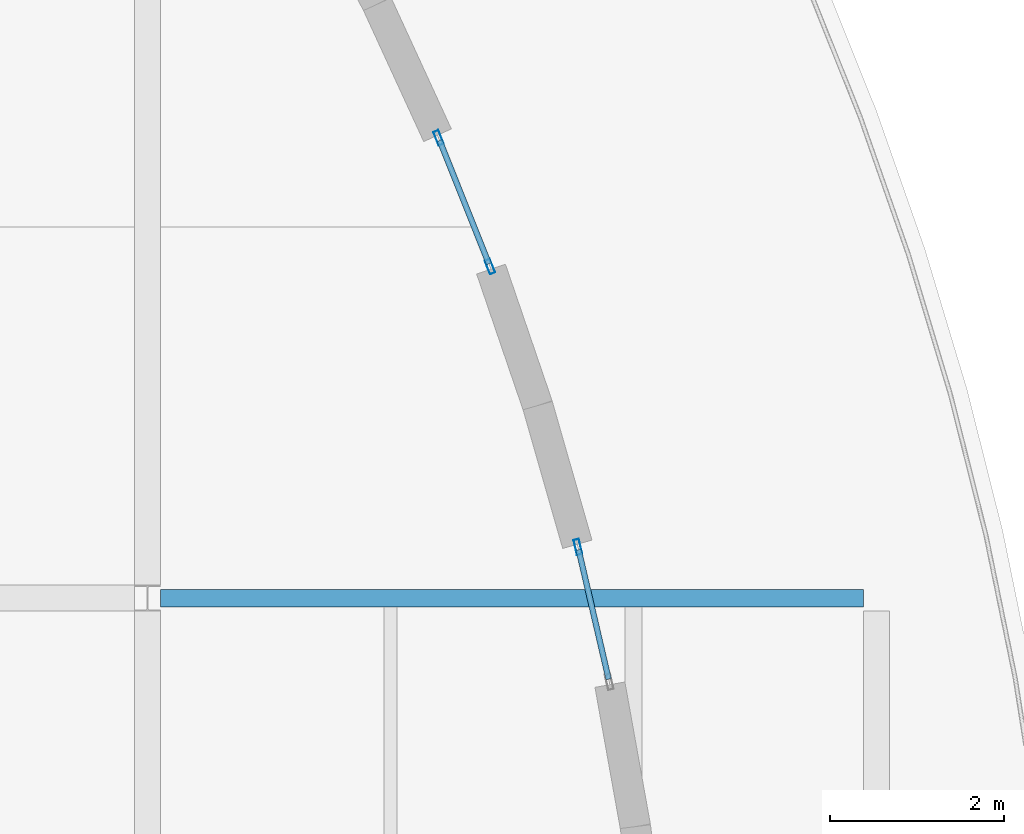
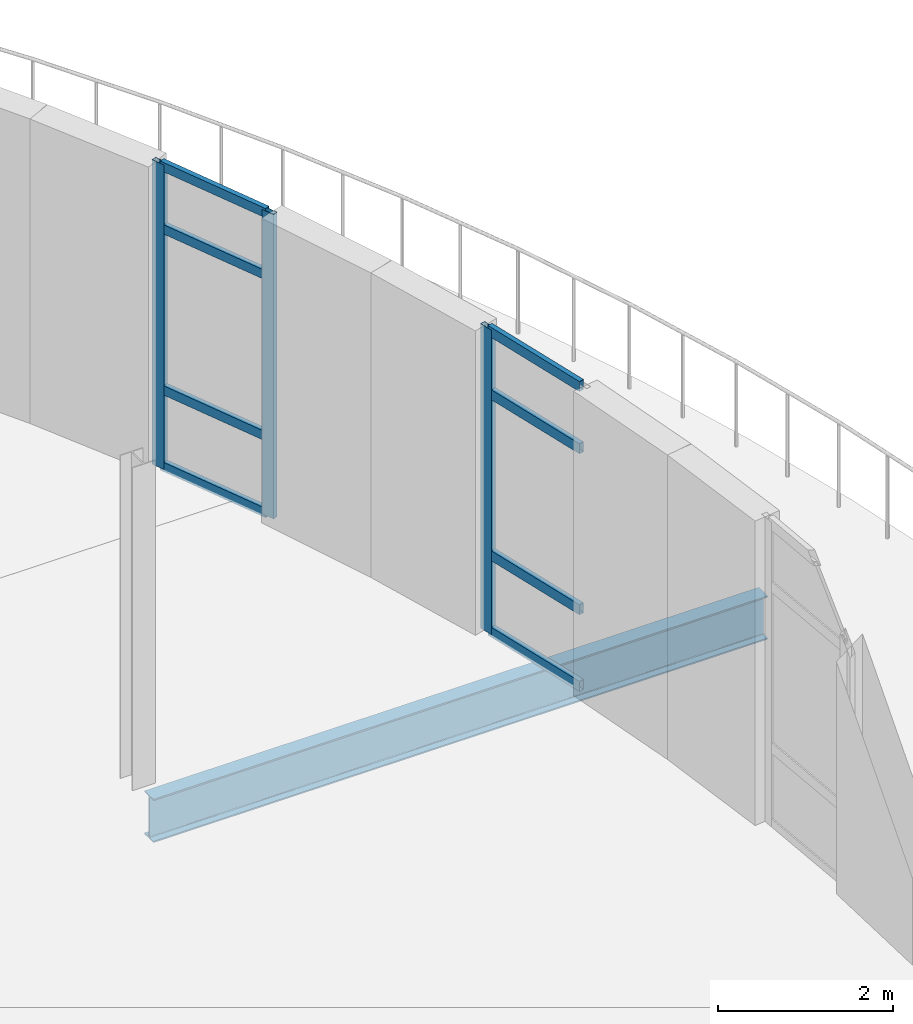
# One storey, part 15 of 40: 11 members, 1 beam, 2 elements without a shape of their own.
"""IFC4 building model written with IfcOpenShell, lengths in metres."""

from ifc_helpers import new_model, si_unit, direction, frame, origin, origin_2d, place, context, subcontext, project, spatial, hollow_rectangle, i_section, extrude, material, layer, layer_set, material_profile, profile_set, type_object, element, aggregate, save


model = new_model("IFC4")

# Units and contexts
model_context = context("Model", 3, precision=1e-05, world=origin(), true_north=direction((0.0, 1.0)))
body_context = subcontext(model_context, "Body", "Model", "MODEL_VIEW")
ifc_project = project(units=[si_unit("LENGTHUNIT", "METRE"), si_unit("AREAUNIT", "SQUARE_METRE"), si_unit("VOLUMEUNIT", "CUBIC_METRE"), si_unit("PLANEANGLEUNIT", "RADIAN"), si_unit("MASSUNIT", "GRAM", prefix="KILO"), si_unit("THERMODYNAMICTEMPERATUREUNIT", "KELVIN")], contexts=[model_context])

# Site, building, storey
site_placement = place(None, origin())
site = spatial("IfcSite", under=ifc_project, at=site_placement, CompositionType="ELEMENT")
building_placement = place(site_placement, origin())
building = spatial("IfcBuilding", under=site, at=building_placement, Name="Lustrewick Department Store", CompositionType="ELEMENT")
storey_placement = place(building_placement, frame((0.0, 0.0, 31.800048828125)))
storey = spatial("IfcBuildingStorey", under=building, at=storey_placement, Name="L07", CompositionType="ELEMENT", Elevation=31.800048828125)

# Curtain wall, members
ifc_material_1 = material(Name="Thermally broken aluminium 6063-T5", Category="aluminium")
ifc_layer_1 = layer(ifc_material_1, 0.179931640625, Name="Thermally broken aluminium 6063-T5")
ifc_layer_set_1 = layer_set([ifc_layer_1], Name="Thermally broken aluminium 6063-T5")
curtain_wall_type_1 = type_object("IfcCurtainWallType", Name="CW11", PredefinedType="NOTDEFINED", material=ifc_layer_set_1)
curtain_wall_1_placement = place(storey_placement, origin())
curtain_wall_1 = element("IfcCurtainWall", 1, at=curtain_wall_1_placement, inside=storey, type_object=curtain_wall_type_1, Name="L07 V4 Curtain Wall CW11", PredefinedType="NOTDEFINED")
ifc_material_profile_1 = material_profile(ifc_material_1, hollow_rectangle(XDim=0.06494140625, YDim=0.179931640625, WallThickness=0.00390625, at=origin_2d()), Name="ALU-M 65x180x4")
ifc_profile_set_1 = profile_set([ifc_material_profile_1], Name="Thermally broken aluminium 6063-T5")
member_type_1 = type_object("IfcMemberType", Name="CW11-M1", PredefinedType="MULLION", material=ifc_profile_set_1)
member_1_placement = place(storey_placement, frame((147.76025390625, 67.789794921875, 0.0), z_axis=(0.0, 0.0, 1.0), x_axis=(-0.974109506867, -0.226076687502, 0.0)))
member_1 = element("IfcMember", 2, at=member_1_placement, type_object=member_type_1, Name="CW11 mullion 2", PredefinedType="MULLION", context=body_context, shape_type="SweptSolid", body=[
    extrude(hollow_rectangle(XDim=0.06494140625, YDim=0.179931640625, WallThickness=0.00390625, at=origin_2d()), origin(), (0.0, 0.0, 1.0), 4.244873046875),
])
ifc_material_profile_2 = material_profile(ifc_material_1, hollow_rectangle(XDim=0.06494140625, YDim=0.139892578125, WallThickness=0.00341796875, at=origin_2d()), Name="ALU-T 65x140x3.5")
ifc_profile_set_2 = profile_set([ifc_material_profile_2], Name="Thermally broken aluminium 6063-T5")
member_type_2 = type_object("IfcMemberType", Name="CW11-T1", PredefinedType="USERDEFINED", material=ifc_profile_set_2)
member_2_placement = place(storey_placement, frame((148.114013671875, 66.265869140625, 0.032470703125), z_axis=(-0.226151310601, 0.974092184915, 0.0), x_axis=(-0.974092184915, -0.226151310601, 0.0)))
member_2 = element("IfcMember", 3, at=member_2_placement, type_object=member_type_2, Name="CW11 transom 1.1", ObjectType="TRANSOM", PredefinedType="USERDEFINED", context=body_context, shape_type="SweptSolid", body=[
    extrude(hollow_rectangle(XDim=0.06494140625, YDim=0.139892578125, WallThickness=0.00341796875, at=origin_2d()), origin(), (0.0, 0.0, 1.0), 1.531982421875),
])
member_3_placement = place(storey_placement, frame((148.114013671875, 66.265869140625, 1.099853515625), z_axis=(-0.226151310601, 0.974092184915, 0.0), x_axis=(-0.974092184915, -0.226151310601, 0.0)))
member_3 = element("IfcMember", 4, at=member_3_placement, type_object=member_type_2, Name="CW11 transom 1.2", ObjectType="TRANSOM", PredefinedType="USERDEFINED", context=body_context, shape_type="SweptSolid", body=[
    extrude(hollow_rectangle(XDim=0.06494140625, YDim=0.139892578125, WallThickness=0.00341796875, at=origin_2d()), origin(), (0.0, 0.0, 1.0), 1.531982421875),
])
member_4_placement = place(storey_placement, frame((148.114013671875, 66.265869140625, 3.344970703125), z_axis=(-0.226151310601, 0.974092184915, 0.0), x_axis=(-0.974092184915, -0.226151310601, 0.0)))
member_4 = element("IfcMember", 5, at=member_4_placement, type_object=member_type_2, Name="CW11 transom 1.3", ObjectType="TRANSOM", PredefinedType="USERDEFINED", context=body_context, shape_type="SweptSolid", body=[
    extrude(hollow_rectangle(XDim=0.06494140625, YDim=0.139892578125, WallThickness=0.00341796875, at=origin_2d()), origin(), (0.0, 0.0, 1.0), 1.531982421875),
])
member_5_placement = place(storey_placement, frame((148.114013671875, 66.265869140625, 4.21240234375), z_axis=(-0.226151310601, 0.974092184915, 0.0), x_axis=(-0.974092184915, -0.226151310601, 0.0)))
member_5 = element("IfcMember", 6, at=member_5_placement, type_object=member_type_2, Name="CW11 transom 1.4", ObjectType="TRANSOM", PredefinedType="USERDEFINED", context=body_context, shape_type="SweptSolid", body=[
    extrude(hollow_rectangle(XDim=0.06494140625, YDim=0.139892578125, WallThickness=0.00341796875, at=origin_2d()), origin(), (0.0, 0.0, 1.0), 1.531982421875),
])
aggregate(curtain_wall_1, [member_1, member_2, member_3, member_4, member_5])

ifc_layer_2 = layer(ifc_material_1, 0.169921875, Name="Thermally broken aluminium 6063-T5")
ifc_layer_set_2 = layer_set([ifc_layer_2], Name="Thermally broken aluminium 6063-T5")
curtain_wall_type_2 = type_object("IfcCurtainWallType", Name="CW12", PredefinedType="NOTDEFINED", material=ifc_layer_set_2)
curtain_wall_2_placement = place(storey_placement, origin())
curtain_wall_2 = element("IfcCurtainWall", 7, at=curtain_wall_2_placement, inside=storey, type_object=curtain_wall_type_2, Name="L07 V4 Curtain Wall CW12", PredefinedType="NOTDEFINED")
ifc_material_profile_3 = material_profile(ifc_material_1, hollow_rectangle(XDim=0.06494140625, YDim=0.169921875, WallThickness=0.00390625, at=origin_2d()), Name="ALU-M 65x170x4")
ifc_profile_set_3 = profile_set([ifc_material_profile_3], Name="Thermally broken aluminium 6063-T5")
member_type_3 = type_object("IfcMemberType", Name="CW12-M1", PredefinedType="MULLION", material=ifc_profile_set_3)
member_6_placement = place(storey_placement, frame((146.746337890625, 71.021728515625, 0.0), z_axis=(0.0, 0.0, 1.0), x_axis=(-0.928646737216, -0.370965277968, 0.0)))
member_6 = element("IfcMember", 8, at=member_6_placement, type_object=member_type_3, Name="CW12 mullion 1", PredefinedType="MULLION", context=body_context, shape_type="SweptSolid", body=[
    extrude(hollow_rectangle(XDim=0.06494140625, YDim=0.169921875, WallThickness=0.00390625, at=origin_2d()), origin(), (0.0, 0.0, 1.0), 4.244873046875),
])
member_7_placement = place(storey_placement, frame((146.15380859375, 72.504638671875, 0.0), z_axis=(0.0, 0.0, 1.0), x_axis=(-0.928646737216, -0.370965277968, 0.0)))
member_7 = element("IfcMember", 9, at=member_7_placement, type_object=member_type_3, Name="CW12 mullion 2", PredefinedType="MULLION", context=body_context, shape_type="SweptSolid", body=[
    extrude(hollow_rectangle(XDim=0.06494140625, YDim=0.169921875, WallThickness=0.00390625, at=origin_2d()), origin(), (0.0, 0.0, 1.0), 4.244873046875),
])
ifc_material_profile_4 = material_profile(ifc_material_1, hollow_rectangle(XDim=0.06494140625, YDim=0.1298828125, WallThickness=0.00341796875, at=origin_2d()), Name="ALU-T 65x130x3.5")
ifc_profile_set_4 = profile_set([ifc_material_profile_4], Name="Thermally broken aluminium 6063-T5")
member_type_4 = type_object("IfcMemberType", Name="CW12-T1", PredefinedType="USERDEFINED", material=ifc_profile_set_4)
member_8_placement = place(storey_placement, frame((146.734130859375, 71.052001953125, 0.032470703125), z_axis=(-0.370868523041, 0.928685381934, 0.0), x_axis=(-0.928685381934, -0.370868523041, 0.0)))
member_8 = element("IfcMember", 10, at=member_8_placement, type_object=member_type_4, Name="CW12 transom 1.1", ObjectType="TRANSOM", PredefinedType="USERDEFINED", context=body_context, shape_type="SweptSolid", body=[
    extrude(hollow_rectangle(XDim=0.06494140625, YDim=0.1298828125, WallThickness=0.00341796875, at=origin_2d()), origin(), (0.0, 0.0, 1.0), 1.53173828125),
])
member_9_placement = place(storey_placement, frame((146.734130859375, 71.052001953125, 1.099853515625), z_axis=(-0.370868523041, 0.928685381934, 0.0), x_axis=(-0.928685381934, -0.370868523041, 0.0)))
member_9 = element("IfcMember", 11, at=member_9_placement, type_object=member_type_4, Name="CW12 transom 1.2", ObjectType="TRANSOM", PredefinedType="USERDEFINED", context=body_context, shape_type="SweptSolid", body=[
    extrude(hollow_rectangle(XDim=0.06494140625, YDim=0.1298828125, WallThickness=0.00341796875, at=origin_2d()), origin(), (0.0, 0.0, 1.0), 1.53173828125),
])
member_10_placement = place(storey_placement, frame((146.734130859375, 71.052001953125, 3.344970703125), z_axis=(-0.370868523041, 0.928685381934, 0.0), x_axis=(-0.928685381934, -0.370868523041, 0.0)))
member_10 = element("IfcMember", 12, at=member_10_placement, type_object=member_type_4, Name="CW12 transom 1.3", ObjectType="TRANSOM", PredefinedType="USERDEFINED", context=body_context, shape_type="SweptSolid", body=[
    extrude(hollow_rectangle(XDim=0.06494140625, YDim=0.1298828125, WallThickness=0.00341796875, at=origin_2d()), origin(), (0.0, 0.0, 1.0), 1.53173828125),
])
member_11_placement = place(storey_placement, frame((146.734130859375, 71.052001953125, 4.21240234375), z_axis=(-0.370868523041, 0.928685381934, 0.0), x_axis=(-0.928685381934, -0.370868523041, 0.0)))
member_11 = element("IfcMember", 13, at=member_11_placement, type_object=member_type_4, Name="CW12 transom 1.4", ObjectType="TRANSOM", PredefinedType="USERDEFINED", context=body_context, shape_type="SweptSolid", body=[
    extrude(hollow_rectangle(XDim=0.06494140625, YDim=0.1298828125, WallThickness=0.00341796875, at=origin_2d()), origin(), (0.0, 0.0, 1.0), 1.53173828125),
])
aggregate(curtain_wall_2, [member_6, member_7, member_8, member_9, member_10, member_11])

# Beam
ifc_material_2 = material(Name="Structural steel Q355B", Category="steel")
ifc_material_profile_5 = material_profile(ifc_material_2, i_section(OverallWidth=0.200927734375, OverallDepth=0.60595703125, WebThickness=0.011962890625, FlangeThickness=0.02001953125, FilletRadius=0.01806640625, at=origin_2d()), Name="HN 606x201x12x20")
ifc_profile_set_5 = profile_set([ifc_material_profile_5], Name="Structural steel Q355B")
beam_type = type_object("IfcBeamType", Name="G13", PredefinedType="BEAM", material=ifc_profile_set_5)
beam_placement = place(storey_placement, frame((142.949951171875, 67.199951171875, -0.55810546875), z_axis=(1.0, 0.0, 0.0), x_axis=(0.0, 1.0, 0.0)))
element("IfcBeam", 14, at=beam_placement, inside=storey, type_object=beam_type, Name="L07 V4 Girder G13", PredefinedType="BEAM", context=body_context, shape_type="SweptSolid", body=[
    extrude(i_section(OverallWidth=0.200927734375, OverallDepth=0.60595703125, WebThickness=0.011962890625, FlangeThickness=0.02001953125, FilletRadius=0.01806640625, at=origin_2d()), origin(), (0.0, 0.0, 1.0), 8.10009765625),
])

save(model, "model.ifc")
